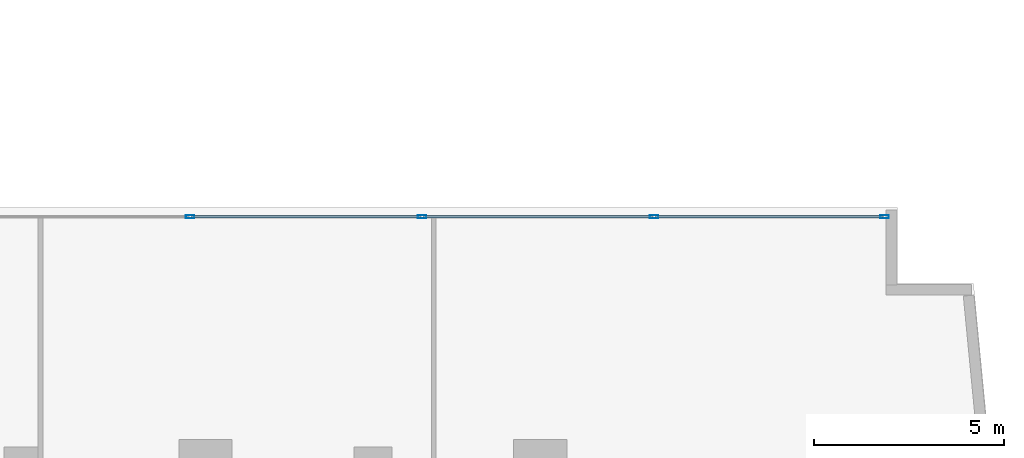
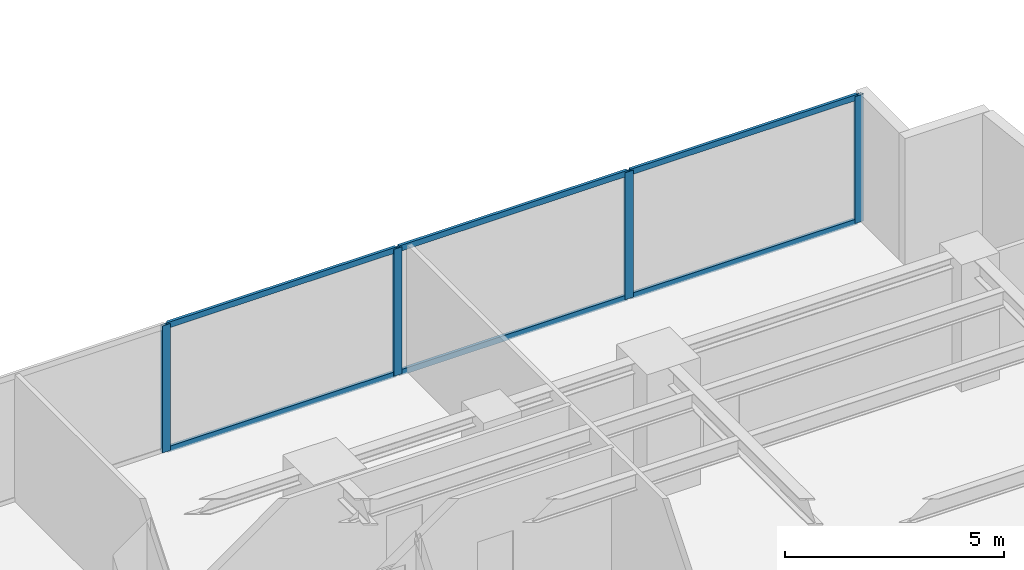
# One storey, part 13 of 24: 10 members, 1 element without a shape of its own.
"""IFC4 building model written with IfcOpenShell, lengths in metres."""

import ifcopenshell
import ifcopenshell.guid

model = None  # the IFC model being written
_history = None  # IfcOwnerHistory: only IFC2X3 demands one
_inside = {}  # id of a spatial element -> (the spatial element, [elements in it])
_under = {}  # id of a project, library or spatial element -> (it, [spatial elements below it])
_declared = {}  # id of a project -> (the project, [libraries it declares])
_typed = {}  # id of a type object -> (the type object, [elements of that type])
_made_of = {}  # id of a material, layer set ... -> (it, [elements and type objects made of it])


def new_model(schema):
    """Start an empty IFC model of exactly this schema.

    Asked for "IFC4X3", IfcOpenShell would pick the latest addendum, in which some entities
    have other attributes; the version numbers below select the first issue.
    IFC2X3 requires an IfcOwnerHistory on every rooted entity: one is made here for all.
    """
    global model, _history
    if schema == "IFC4X3":
        model = ifcopenshell.file(schema_version=(4, 3, 0, 0))
    else:
        model = ifcopenshell.file(schema=schema)
    _inside.clear()
    _under.clear()
    _declared.clear()
    _typed.clear()
    _made_of.clear()
    _history = None
    if model.schema == "IFC2X3":
        org = make("IfcOrganization", Name="unknown")
        user = make(
            "IfcPersonAndOrganization",
            ThePerson=make("IfcPerson", FamilyName="unknown"),
            TheOrganization=org,
        )
        app = make(
            "IfcApplication",
            ApplicationDeveloper=org,
            Version="unknown",
            ApplicationFullName="unknown",
            ApplicationIdentifier="unknown",
        )
        _history = make(
            "IfcOwnerHistory",
            OwningUser=user,
            OwningApplication=app,
            ChangeAction="ADDED",
            CreationDate=0,
        )
    return model


def make(cls, **values):
    """One entity of the class cls with the attributes given. An attribute that is None is left unset."""
    return model.create_entity(
        cls, **{name: value for name, value in values.items() if value is not None}
    )


def rooted(cls, **values):
    """An entity with a GlobalId (a new one), such as an element, a storey or a relation."""
    return make(cls, GlobalId=ifcopenshell.guid.new(), OwnerHistory=_history, **values)


def si_unit(unit_type, name, prefix=None):
    """IfcSIUnit, for example si_unit("LENGTHUNIT", "METRE", prefix="MILLI")."""
    return make("IfcSIUnit", UnitType=unit_type, Prefix=prefix, Name=name)


def assignment(units):
    """IfcUnitAssignment: the units of a project."""
    return None if units is None else make("IfcUnitAssignment", Units=units)


def point(xyz):
    """IfcCartesianPoint."""
    return None if xyz is None else make("IfcCartesianPoint", Coordinates=xyz)


def direction(xyz):
    """IfcDirection."""
    return None if xyz is None else make("IfcDirection", DirectionRatios=xyz)


def frame(location, z_axis=None, x_axis=None):
    """IfcAxis2Placement3D, a coordinate frame: its origin and axes. An axis left out is left unset."""
    return make(
        "IfcAxis2Placement3D",
        Location=point(location),
        Axis=direction(z_axis),
        RefDirection=direction(x_axis),
    )


def frame_2d(location, x_axis=None):
    """IfcAxis2Placement2D, a coordinate frame in the plane: its origin and x axis."""
    return make(
        "IfcAxis2Placement2D", Location=point(location), RefDirection=direction(x_axis)
    )


def origin():
    """The frame at (0, 0, 0) with its axes left unset."""
    return frame((0.0, 0.0, 0.0))


def origin_with_axes():
    """The frame at (0, 0, 0) with the z axis (0, 0, 1) and the x axis (1, 0, 0) written out."""
    return frame((0.0, 0.0, 0.0), z_axis=(0.0, 0.0, 1.0), x_axis=(1.0, 0.0, 0.0))


def origin_2d():
    """The frame at (0, 0) in the plane with its x axis left unset."""
    return frame_2d((0.0, 0.0))


def place(relative_to, where):
    """IfcLocalPlacement: puts the frame where relative to a parent placement (None: the world)."""
    return make(
        "IfcLocalPlacement", PlacementRelTo=relative_to, RelativePlacement=where
    )


def context(
    kind, dimensions, precision=None, world=None, true_north=None, identifier=None
):
    """IfcGeometricRepresentationContext, for example the 3D "Model" context."""
    return make(
        "IfcGeometricRepresentationContext",
        ContextIdentifier=identifier,
        ContextType=kind,
        CoordinateSpaceDimension=dimensions,
        Precision=precision,
        WorldCoordinateSystem=world,
        TrueNorth=true_north,
    )


def subcontext(parent, identifier, kind, view, scale=None):
    """IfcGeometricRepresentationSubContext, for example "Body" below "Model"."""
    return make(
        "IfcGeometricRepresentationSubContext",
        ContextIdentifier=identifier,
        ContextType=kind,
        ParentContext=parent,
        TargetScale=scale,
        TargetView=view,
    )


def project(units=None, contexts=None):
    """IfcProject with its units and contexts."""
    return rooted(
        "IfcProject",
        Name="project",
        RepresentationContexts=contexts,
        UnitsInContext=assignment(units),
    )


def spatial(cls, under=None, at=None, **own):
    """A site, building, storey or space (cls), placed at a placement, below another one or the project."""
    s = rooted(cls, ObjectPlacement=at, **own)
    if under is not None:
        _under.setdefault(under.id(), (under, []))[1].append(s)
    return s


def profile(cls, at=None, kind="AREA", **sizes):
    """A parametric profile (cls). Its sizes go by their IFC names, for example OverallWidth=200.0."""
    return make(cls, ProfileType=kind, Position=at, **sizes)


def hollow_rectangle(**sizes):
    """IfcRectangleHollowProfileDef."""
    return profile("IfcRectangleHollowProfileDef", **sizes)


def extrude(swept, where, along, depth):
    """IfcExtrudedAreaSolid: the profile swept, set in the frame where, extruded along a direction by depth."""
    return make(
        "IfcExtrudedAreaSolid",
        SweptArea=swept,
        Position=where,
        ExtrudedDirection=direction(along),
        Depth=depth,
    )


def shape(context_of_items, identifier, shape_type, items):
    """IfcShapeRepresentation: the items that make up one representation, for example the "Body"."""
    return make(
        "IfcShapeRepresentation",
        ContextOfItems=context_of_items,
        RepresentationIdentifier=identifier,
        RepresentationType=shape_type,
        Items=items,
    )


def source(mapping_origin, context_of_items, identifier, shape_type, items):
    """IfcRepresentationMap: a shape defined once, which mapped items show again and again."""
    return make(
        "IfcRepresentationMap",
        MappingOrigin=mapping_origin,
        MappedRepresentation=shape(context_of_items, identifier, shape_type, items),
    )


def transform(
    local_origin,
    x_axis=None,
    y_axis=None,
    z_axis=None,
    scale=None,
    scale2=None,
    scale3=None,
    uniform=True,
):
    """IfcCartesianTransformationOperator3D, or its non-uniform kind. x_axis, y_axis, z_axis: its Axis1, 2, 3."""
    if uniform:
        return make(
            "IfcCartesianTransformationOperator3D",
            Axis1=direction(x_axis),
            Axis2=direction(y_axis),
            LocalOrigin=point(local_origin),
            Scale=scale,
            Axis3=direction(z_axis),
        )
    return make(
        "IfcCartesianTransformationOperator3DnonUniform",
        Axis1=direction(x_axis),
        Axis2=direction(y_axis),
        LocalOrigin=point(local_origin),
        Scale=scale,
        Axis3=direction(z_axis),
        Scale2=scale2,
        Scale3=scale3,
    )


def mapped(mapping_source, mapping_target):
    """IfcMappedItem: shows the shape of a source again, moved by a transform."""
    return make(
        "IfcMappedItem", MappingSource=mapping_source, MappingTarget=mapping_target
    )


def material(Name=None, Category=None):
    """IfcMaterial."""
    return make("IfcMaterial", Name=Name, Category=Category)


def layer(
    of_material, thickness, ventilated=None, Name=None, Category=None, Priority=None
):
    """IfcMaterialLayer: one layer of a wall or slab, of a material (None: an air gap)."""
    return make(
        "IfcMaterialLayer",
        Material=of_material,
        LayerThickness=thickness,
        IsVentilated=ventilated,
        Name=Name,
        Category=Category,
        Priority=Priority,
    )


def layer_set(layers, Name=None):
    """IfcMaterialLayerSet."""
    return make("IfcMaterialLayerSet", MaterialLayers=layers, LayerSetName=Name)


def material_profile(
    of_material, cross_section, Name=None, Category=None, Priority=None
):
    """IfcMaterialProfile: a cross section and its material."""
    return make(
        "IfcMaterialProfile",
        Name=Name,
        Material=of_material,
        Profile=cross_section,
        Priority=Priority,
        Category=Category,
    )


def profile_set(profiles, Name=None, composite=None):
    """IfcMaterialProfileSet."""
    return make(
        "IfcMaterialProfileSet",
        Name=Name,
        MaterialProfiles=profiles,
        CompositeProfile=composite,
    )


def made_of(thing, what):
    """Note that an element or type object is made of a material, layer set ...; save() writes the relation."""
    if what is not None:
        _made_of.setdefault(what.id(), (what, []))[1].append(thing)
    return thing


def type_object(cls, material=None, **own):
    """A type object (cls), such as IfcWallType, which elements share."""
    return made_of(rooted(cls, **own), material)


def element(
    cls,
    number,
    at=None,
    inside=None,
    cuts=None,
    type_object=None,
    material=None,
    context=None,
    identifier="Body",
    shape_type=None,
    held_by="IfcProductDefinitionShape",
    body=None,
    shapes=None,
    **own,
):
    """One element of the class cls, such as IfcWall. Its Tag is "e" and its number.

    at: its placement. inside: the storey or other place that contains it. cuts: it is an
    opening in that element (IfcRelVoidsElement). A single representation is given by context,
    identifier, shape_type and body (its items); several are given by shapes. held_by: the class
    of the entity that holds the representations. save() writes the other relations.
    """
    e = rooted(cls, Tag="e%d" % number, ObjectPlacement=at, **own)
    if body is not None:
        shapes = [shape(context, identifier, shape_type, body)]
    if shapes is not None:
        e.Representation = make(held_by, Representations=shapes)
    if inside is not None:
        _inside.setdefault(inside.id(), (inside, []))[1].append(e)
    if cuts is not None:
        rooted(
            "IfcRelVoidsElement", RelatingBuildingElement=cuts, RelatedOpeningElement=e
        )
    if type_object is not None:
        _typed.setdefault(type_object.id(), (type_object, []))[1].append(e)
    return made_of(e, material)


def aggregate(whole, parts):
    """IfcRelAggregates: a whole, such as a stair, and the parts it consists of."""
    return rooted("IfcRelAggregates", RelatingObject=whole, RelatedObjects=parts)


def save(model, path):
    """Write the relations noted so far, then the file.

    IfcRelAggregates (storeys below a building ...), IfcRelContainedInSpatialStructure (elements
    in a storey), IfcRelDefinesByType, IfcRelAssociatesMaterial and IfcRelDeclares: one each for
    every whole, place, type object, material and project.
    """
    for whole, parts in _under.values():
        aggregate(whole, parts)
    for where, things in _inside.values():
        rooted(
            "IfcRelContainedInSpatialStructure",
            RelatedElements=things,
            RelatingStructure=where,
        )
    for kind, things in _typed.values():
        rooted("IfcRelDefinesByType", RelatedObjects=things, RelatingType=kind)
    for what, things in _made_of.values():
        rooted("IfcRelAssociatesMaterial", RelatedObjects=things, RelatingMaterial=what)
    for by, libraries in _declared.values():
        rooted("IfcRelDeclares", RelatingContext=by, RelatedDefinitions=libraries)
    model.write(path)


model = new_model("IFC4")

# Units and contexts
model_context = context("Model", 3, precision=1e-05, world=origin(), true_north=direction((0.0, 1.0)))
body_context = subcontext(model_context, "Body", "Model", "MODEL_VIEW")
ifc_project = project(units=[si_unit("LENGTHUNIT", "METRE"), si_unit("AREAUNIT", "SQUARE_METRE"), si_unit("VOLUMEUNIT", "CUBIC_METRE"), si_unit("PLANEANGLEUNIT", "RADIAN"), si_unit("MASSUNIT", "GRAM", prefix="KILO")], contexts=[model_context])

# Site, building, storey
site_placement = place(None, origin())
site = spatial("IfcSite", under=ifc_project, at=site_placement, CompositionType="ELEMENT")
building_placement = place(site_placement, origin())
building = spatial("IfcBuilding", under=site, at=building_placement, Name="Kolvaren Waterfront Exchange", CompositionType="ELEMENT")
storey_placement = place(building_placement, frame((0.0, 0.0, 95.5)))
storey = spatial("IfcBuildingStorey", under=building, at=storey_placement, Name="L24", CompositionType="ELEMENT", Elevation=95.5)

# Curtain wall, members
ifc_material_1 = material(Name="Anodised bronze aluminium 6063-T6", Category="aluminium")
ifc_layer = layer(ifc_material_1, 0.219970703125, Name="Anodised bronze aluminium 6063-T6")
ifc_layer_set = layer_set([ifc_layer], Name="Anodised bronze aluminium 6063-T6")
curtain_wall_type = type_object("IfcCurtainWallType", Name="ARC-CW-SYS1", PredefinedType="USERDEFINED", material=ifc_layer_set)
curtain_wall_placement = place(storey_placement, origin())
curtain_wall = element("IfcCurtainWall", 1, at=curtain_wall_placement, inside=storey, type_object=curtain_wall_type, Name="L24 stick curtain wall CW1 (CW-L24-EN)", ObjectType="STICK CURTAIN WALL", PredefinedType="USERDEFINED")
ifc_material_2 = material(Name="Anodised aluminium 6063-T6", Category="aluminium")
ifc_material_profile_1 = material_profile(ifc_material_2, hollow_rectangle(XDim=0.080078125, YDim=0.219970703125, WallThickness=0.0048828125, at=origin_2d()), Name="ALU-MUL-220x80x5")
ifc_profile_set_1 = profile_set([ifc_material_profile_1], Name="Anodised aluminium 6063-T6")
member_type_1 = type_object("IfcMemberType", Name="ARC-CWM-220", PredefinedType="MULLION", material=ifc_profile_set_1)
shared_shape_1 = source(origin_with_axes(), body_context, "Body", "SweptSolid", [
    extrude(hollow_rectangle(XDim=0.080078125, YDim=0.219970703125, WallThickness=0.0048828125, at=origin_2d()), origin(), (0.0, 0.0, 1.0), 3.5400390625),
])
member_1_placement = place(storey_placement, frame((36.392578125, 23.9599609375, 0.0), z_axis=(0.0, 0.0, 1.0), x_axis=(0.0, 1.0, 0.0)))
member_1 = element("IfcMember", 2, at=member_1_placement, type_object=member_type_1, Name="CW1 mullion 2", PredefinedType="MULLION", context=body_context, shape_type="MappedRepresentation", body=[
    mapped(shared_shape_1, transform((0.0, 0.0, 0.0), x_axis=(1.0, 0.0, 0.0), y_axis=(0.0, 1.0, 0.0), z_axis=(0.0, 0.0, 1.0), scale=1.0)),
])
member_2_placement = place(storey_placement, frame((42.4951171875, 23.9599609375, 0.0), z_axis=(0.0, 0.0, 1.0), x_axis=(0.0, 1.0, 0.0)))
member_2 = element("IfcMember", 3, at=member_2_placement, type_object=member_type_1, Name="CW1 mullion 3", PredefinedType="MULLION", context=body_context, shape_type="MappedRepresentation", body=[
    mapped(shared_shape_1, transform((0.0, 0.0, 0.0), x_axis=(1.0, 0.0, 0.0), y_axis=(0.0, 1.0, 0.0), z_axis=(0.0, 0.0, 1.0), scale=1.0)),
])
member_3_placement = place(storey_placement, frame((48.597412109375, 23.9599609375, 0.0), z_axis=(0.0, 0.0, 1.0), x_axis=(0.0, 1.0, 0.0)))
member_3 = element("IfcMember", 4, at=member_3_placement, type_object=member_type_1, Name="CW1 mullion 4", PredefinedType="MULLION", context=body_context, shape_type="MappedRepresentation", body=[
    mapped(shared_shape_1, transform((0.0, 0.0, 0.0), x_axis=(1.0, 0.0, 0.0), y_axis=(0.0, 1.0, 0.0), z_axis=(0.0, 0.0, 1.0), scale=1.0)),
])
member_4_placement = place(storey_placement, frame((54.659912109375, 23.9599609375, 0.0), z_axis=(0.0, 0.0, 1.0), x_axis=(0.0, 1.0, 0.0)))
member_4 = element("IfcMember", 5, at=member_4_placement, type_object=member_type_1, Name="CW1 mullion 5", PredefinedType="MULLION", context=body_context, shape_type="MappedRepresentation", body=[
    mapped(shared_shape_1, transform((0.0, 0.0, 0.0), x_axis=(1.0, 0.0, 0.0), y_axis=(0.0, 1.0, 0.0), z_axis=(0.0, 0.0, 1.0), scale=1.0)),
])
ifc_material_profile_2 = material_profile(ifc_material_2, hollow_rectangle(XDim=0.074951171875, YDim=0.159912109375, WallThickness=0.00439453125, at=origin_2d()), Name="ALU-TRN-160x75x4.5")
ifc_profile_set_2 = profile_set([ifc_material_profile_2], Name="Anodised aluminium 6063-T6")
member_type_2 = type_object("IfcMemberType", Name="ARC-CWT-160", PredefinedType="USERDEFINED", material=ifc_profile_set_2)
shared_shape_2 = source(origin_with_axes(), body_context, "Body", "SweptSolid", [
    extrude(hollow_rectangle(XDim=0.074951171875, YDim=0.159912109375, WallThickness=0.00439453125, at=origin_2d()), origin(), (0.0, 0.0, 1.0), 6.0224609375),
])
member_5_placement = place(storey_placement, frame((36.4326171875, 23.9599609375, 0.03759765625), z_axis=(1.0, 0.0, 0.0), x_axis=(0.0, 1.0, 0.0)))
member_5 = element("IfcMember", 6, at=member_5_placement, type_object=member_type_2, Name="CW1 transom 2.1", ObjectType="TRANSOM", PredefinedType="USERDEFINED", context=body_context, shape_type="MappedRepresentation", body=[
    mapped(shared_shape_2, transform((0.0, 0.0, 0.0), x_axis=(1.0, 0.0, 0.0), y_axis=(0.0, 1.0, 0.0), z_axis=(0.0, 0.0, 1.0), scale=1.0)),
])
member_6_placement = place(storey_placement, frame((36.4326171875, 23.9599609375, 3.50244140625), z_axis=(1.0, 0.0, 0.0), x_axis=(0.0, 1.0, 0.0)))
member_6 = element("IfcMember", 7, at=member_6_placement, type_object=member_type_2, Name="CW1 transom 2.2", ObjectType="TRANSOM", PredefinedType="USERDEFINED", context=body_context, shape_type="MappedRepresentation", body=[
    mapped(shared_shape_2, transform((0.0, 0.0, 0.0), x_axis=(1.0, 0.0, 0.0), y_axis=(0.0, 1.0, 0.0), z_axis=(0.0, 0.0, 1.0), scale=1.0)),
])
shared_shape_3 = source(origin_with_axes(), body_context, "Body", "SweptSolid", [
    extrude(hollow_rectangle(XDim=0.074951171875, YDim=0.159912109375, WallThickness=0.00439453125, at=origin_2d()), origin(), (0.0, 0.0, 1.0), 6.022705078125),
])
member_7_placement = place(storey_placement, frame((42.534912109375, 23.9599609375, 0.03759765625), z_axis=(1.0, 0.0, 0.0), x_axis=(0.0, 1.0, 0.0)))
member_7 = element("IfcMember", 8, at=member_7_placement, type_object=member_type_2, Name="CW1 transom 3.1", ObjectType="TRANSOM", PredefinedType="USERDEFINED", context=body_context, shape_type="MappedRepresentation", body=[
    mapped(shared_shape_3, transform((0.0, 0.0, 0.0), x_axis=(1.0, 0.0, 0.0), y_axis=(0.0, 1.0, 0.0), z_axis=(0.0, 0.0, 1.0), scale=1.0)),
])
member_8_placement = place(storey_placement, frame((42.534912109375, 23.9599609375, 3.50244140625), z_axis=(1.0, 0.0, 0.0), x_axis=(0.0, 1.0, 0.0)))
member_8 = element("IfcMember", 9, at=member_8_placement, type_object=member_type_2, Name="CW1 transom 3.2", ObjectType="TRANSOM", PredefinedType="USERDEFINED", context=body_context, shape_type="MappedRepresentation", body=[
    mapped(shared_shape_3, transform((0.0, 0.0, 0.0), x_axis=(1.0, 0.0, 0.0), y_axis=(0.0, 1.0, 0.0), z_axis=(0.0, 0.0, 1.0), scale=1.0)),
])
shared_shape_4 = source(origin_with_axes(), body_context, "Body", "SweptSolid", [
    extrude(hollow_rectangle(XDim=0.074951171875, YDim=0.159912109375, WallThickness=0.00439453125, at=origin_2d()), origin(), (0.0, 0.0, 1.0), 5.982666015625),
])
member_9_placement = place(storey_placement, frame((48.637451171875, 23.9599609375, 0.03759765625), z_axis=(1.0, 0.0, 0.0), x_axis=(0.0, 1.0, 0.0)))
member_9 = element("IfcMember", 10, at=member_9_placement, type_object=member_type_2, Name="CW1 transom 4.1", ObjectType="TRANSOM", PredefinedType="USERDEFINED", context=body_context, shape_type="MappedRepresentation", body=[
    mapped(shared_shape_4, transform((0.0, 0.0, 0.0), x_axis=(1.0, 0.0, 0.0), y_axis=(0.0, 1.0, 0.0), z_axis=(0.0, 0.0, 1.0), scale=1.0)),
])
member_10_placement = place(storey_placement, frame((48.637451171875, 23.9599609375, 3.50244140625), z_axis=(1.0, 0.0, 0.0), x_axis=(0.0, 1.0, 0.0)))
member_10 = element("IfcMember", 11, at=member_10_placement, type_object=member_type_2, Name="CW1 transom 4.2", ObjectType="TRANSOM", PredefinedType="USERDEFINED", context=body_context, shape_type="MappedRepresentation", body=[
    mapped(shared_shape_4, transform((0.0, 0.0, 0.0), x_axis=(1.0, 0.0, 0.0), y_axis=(0.0, 1.0, 0.0), z_axis=(0.0, 0.0, 1.0), scale=1.0)),
])
aggregate(curtain_wall, [member_1, member_2, member_3, member_4, member_5, member_6, member_7, member_8, member_9, member_10])

save(model, "model.ifc")
